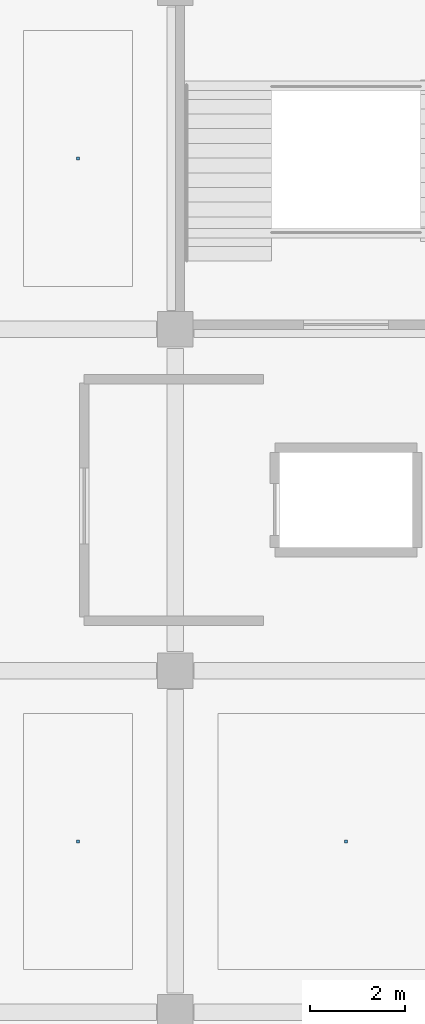
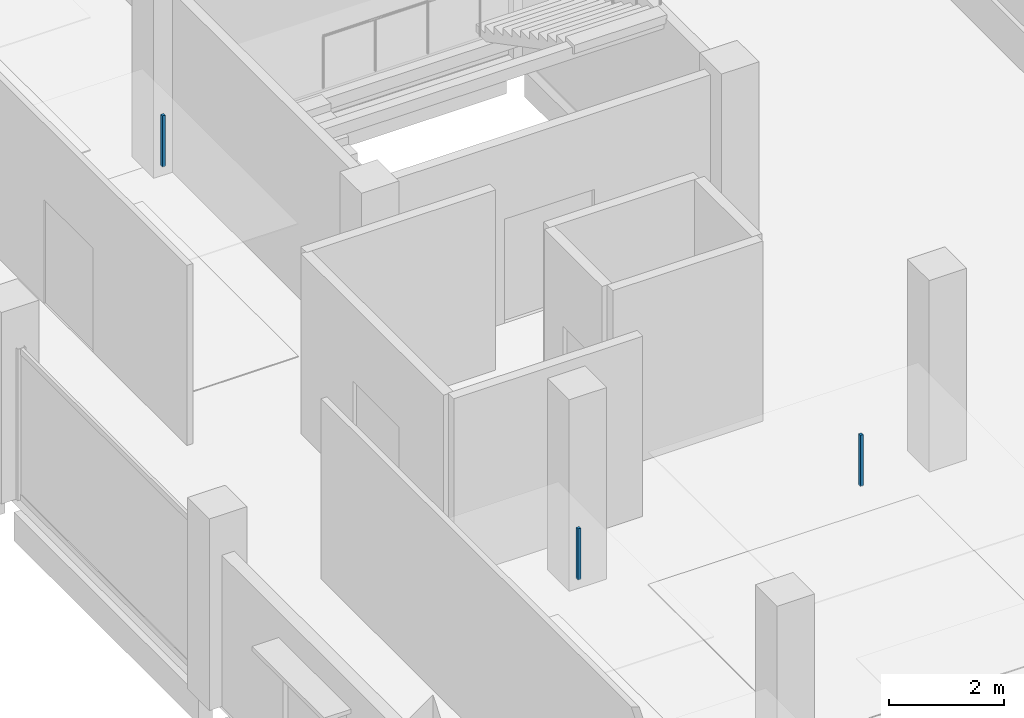
# One storey, part 100 of 108: 3 discrete accessories.
"""IFC4 building model written with IfcOpenShell, lengths in metres."""

from ifc_helpers import new_model, si_unit, direction, frame, origin, origin_2d, place, context, subcontext, project, spatial, rectangle, extrude, material, type_object, element, save


model = new_model("IFC4")

# Units and contexts
model_context = context("Model", 3, precision=1e-05, world=origin(), true_north=direction((0.0, 1.0)))
body_context = subcontext(model_context, "Body", "Model", "MODEL_VIEW")
ifc_project = project(units=[si_unit("LENGTHUNIT", "METRE"), si_unit("AREAUNIT", "SQUARE_METRE"), si_unit("VOLUMEUNIT", "CUBIC_METRE"), si_unit("PLANEANGLEUNIT", "RADIAN"), si_unit("MASSUNIT", "GRAM", prefix="KILO")], contexts=[model_context])

# Site, building, storey
site_placement = place(None, origin())
site = spatial("IfcSite", under=ifc_project, at=site_placement, CompositionType="ELEMENT")
building_placement = place(site_placement, origin())
building = spatial("IfcBuilding", under=site, at=building_placement, Name="Kangsadwip Square Police Headquarters", CompositionType="ELEMENT")
storey_placement = place(building_placement, frame((0.0, 0.0, 9.449951171875)))
storey = spatial("IfcBuildingStorey", under=building, at=storey_placement, Name="L02", CompositionType="ELEMENT", Elevation=9.449951171875)

# Discrete accessories
ifc_material = material(Name="Structural steel IS 2062 E350 (Grade 350, 350 MPa)", Category="steel")
discrete_accessory_type = type_object("IfcDiscreteAccessoryType", Name="VeilOutriggerBracket", PredefinedType="BRACKET", material=ifc_material)
for number, where, z_axis, x_axis, name in (
    (1, (149.14990234375, 46.800048828125, 2.81005859375), (0.0, 0.0, 1.0), (1.0, 0.0, 0.0), "Ceiling Suspension Hanger L02-083"),
    (2, (154.800048828125, 46.800048828125, 2.81005859375), (0.0, 0.0, 1.0), (1.0, 0.0, 0.0), "Ceiling Suspension Hanger L02-084"),
    (3, (149.14990234375, 61.199951171875, 2.81005859375), (0.0, 0.0, 1.0), (1.0, 0.0, 0.0), "Ceiling Suspension Hanger L02-085"),
):
    element("IfcDiscreteAccessory", number, at=place(storey_placement, frame(where, z_axis=z_axis, x_axis=x_axis)), inside=storey, type_object=discrete_accessory_type, Name=name, PredefinedType="BRACKET", context=body_context, shape_type="SweptSolid", body=[
        extrude(rectangle(XDim=0.06005859375, YDim=0.06005859375, at=origin_2d()), origin(), (0.0, 0.0, 1.0), 1.080078125),
    ])

save(model, "model.ifc")
